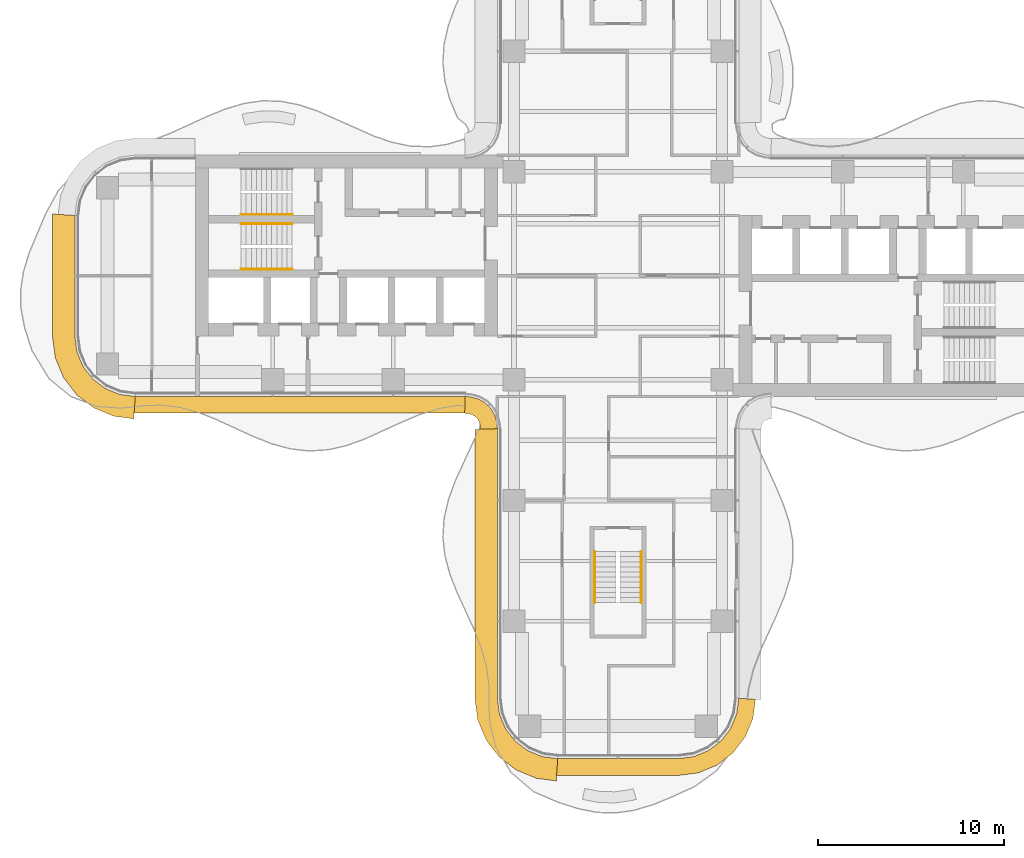
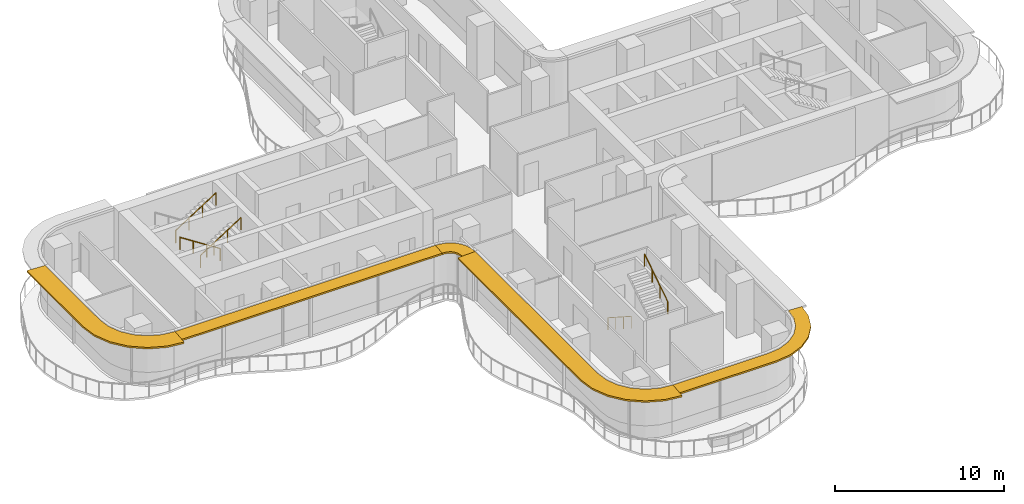
# One storey, part 17 of 18: 5 railings, 5 shading devices.
"""IFC4 building model written with IfcOpenShell, lengths in metres."""

from ifc_helpers import new_model, si_unit, direction, frame, origin, origin_2d, place, context, subcontext, project, spatial, polyline, circle, outline, extrude, source, transform, mapped, material, layer, layer_set, type_object, element, save


model = new_model("IFC4")

# Units and contexts
model_context = context("Model", 3, precision=1e-05, world=origin(), true_north=direction((0.0, 1.0)))
body_context = subcontext(model_context, "Body", "Model", "MODEL_VIEW")
ifc_project = project(units=[si_unit("LENGTHUNIT", "METRE"), si_unit("AREAUNIT", "SQUARE_METRE"), si_unit("VOLUMEUNIT", "CUBIC_METRE"), si_unit("PLANEANGLEUNIT", "RADIAN"), si_unit("MASSUNIT", "GRAM", prefix="KILO")], contexts=[model_context])

# Site, building, storey
site_placement = place(None, origin())
site = spatial("IfcSite", under=ifc_project, at=site_placement, CompositionType="ELEMENT")
building_placement = place(site_placement, origin())
building = spatial("IfcBuilding", under=site, at=building_placement, Name="Trellis Farm Tower", CompositionType="ELEMENT")
storey_placement = place(building_placement, frame((0.0, 0.0, 189.300048828125)))
storey = spatial("IfcBuildingStorey", under=building, at=storey_placement, Name="L41", CompositionType="ELEMENT", Elevation=189.300048828125)

# Railings
ifc_material_1 = material(Name="Stainless steel", Category="steel")
railing_type = type_object("IfcRailingType", Name="STAIR HANDRAIL 900", PredefinedType="HANDRAIL", material=ifc_material_1)
shared_shape_1 = source(origin(), body_context, "Body", "SweptSolid", [
    extrude(circle(Radius=0.02392578125, at=origin_2d()), frame((0.0, 0.0, 0.8759765625), z_axis=(0.0, 0.840503830235, 0.541805602924), x_axis=(-1.0, 0.0, 0.0)), (0.0, 0.0, 1.0), 3.271728515625),
    extrude(circle(Radius=0.02099609375, at=origin_2d()), origin(), (0.0, 0.0, 1.0), 0.851806640625),
    extrude(circle(Radius=0.02099609375, at=origin_2d()), frame((0.0, 0.916748046875, 0.5908203125)), (0.0, 0.0, 1.0), 0.851806640625),
    extrude(circle(Radius=0.02099609375, at=origin_2d()), frame((0.0, 1.833251953125, 1.181884765625)), (0.0, 0.0, 1.0), 0.851806640625),
    extrude(circle(Radius=0.02099609375, at=origin_2d()), frame((0.0, 2.75, 1.772705078125)), (0.0, 0.0, 1.0), 0.851806640625),
])
railing_1_placement = place(storey_placement, frame((1.25, -17.60009765625, 2.127197265625)))
element("IfcRailing", 1, at=railing_1_placement, inside=storey, type_object=railing_type, Name="Stair handrail", PredefinedType="HANDRAIL", context=body_context, shape_type="MappedRepresentation", body=[
    mapped(shared_shape_1, transform((0.0, 0.0, 0.0))),
])
shared_shape_2 = source(origin(), body_context, "Body", "SweptSolid", [
    extrude(circle(Radius=0.02392578125, at=origin_2d()), frame((0.0, 0.0, 0.8759765625), z_axis=(0.0, -0.840503830235, 0.541805602924), x_axis=(1.0, 0.0, 0.0)), (0.0, 0.0, 1.0), 3.271728515625),
    extrude(circle(Radius=0.02099609375, at=origin_2d()), origin(), (0.0, 0.0, 1.0), 0.851806640625),
    extrude(circle(Radius=0.02099609375, at=origin_2d()), frame((0.0, -0.916748046875, 0.5908203125)), (0.0, 0.0, 1.0), 0.851806640625),
    extrude(circle(Radius=0.02099609375, at=origin_2d()), frame((0.0, -1.833251953125, 1.181884765625)), (0.0, 0.0, 1.0), 0.851806640625),
    extrude(circle(Radius=0.02099609375, at=origin_2d()), frame((0.0, -2.75, 1.772705078125)), (0.0, 0.0, 1.0), 0.851806640625),
])
railing_2_placement = place(storey_placement, frame((-1.25, -14.85009765625, 0.17724609375)))
element("IfcRailing", 2, at=railing_2_placement, inside=storey, type_object=railing_type, Name="Stair handrail", PredefinedType="HANDRAIL", context=body_context, shape_type="MappedRepresentation", body=[
    mapped(shared_shape_2, transform((0.0, 0.0, 0.0))),
])
shared_shape_3 = source(origin(), body_context, "Body", "SweptSolid", [
    extrude(circle(Radius=0.02392578125, at=origin_2d()), frame((0.0, 0.0, 0.8759765625), z_axis=(0.840503830235, 0.0, 0.541805602924), x_axis=(0.0, 1.0, 0.0)), (0.0, 0.0, 1.0), 3.271728515625),
    extrude(circle(Radius=0.02099609375, at=origin_2d()), origin(), (0.0, 0.0, 1.0), 0.851806640625),
    extrude(circle(Radius=0.02099609375, at=origin_2d()), frame((0.916748046875, 0.0, 0.5908203125)), (0.0, 0.0, 1.0), 0.851806640625),
    extrude(circle(Radius=0.02099609375, at=origin_2d()), frame((1.833251953125, 0.0, 1.181884765625)), (0.0, 0.0, 1.0), 0.851806640625),
    extrude(circle(Radius=0.02099609375, at=origin_2d()), frame((2.75, 0.0, 1.772705078125)), (0.0, 0.0, 1.0), 0.851806640625),
])
for number, where, name in (
    (3, (-20.300048828125, 3.300048828125, 2.127197265625), "Stair handrail"),
    (4, (-20.300048828125, 0.35009765625, 2.127197265625), "Stair handrail"),
):
    element("IfcRailing", number, at=place(storey_placement, frame(where)), inside=storey, type_object=railing_type, Name=name, PredefinedType="HANDRAIL", context=body_context, shape_type="MappedRepresentation", body=[
        mapped(shared_shape_3, transform((0.0, 0.0, 0.0))),
    ])
shared_shape_4 = source(origin(), body_context, "Body", "SweptSolid", [
    extrude(circle(Radius=0.02392578125, at=origin_2d()), frame((0.0, 0.0, 0.8759765625), z_axis=(-0.840503830235, 0.0, 0.541805602924), x_axis=(0.0, -1.0, 0.0)), (0.0, 0.0, 1.0), 3.271728515625),
    extrude(circle(Radius=0.02099609375, at=origin_2d()), origin(), (0.0, 0.0, 1.0), 0.851806640625),
    extrude(circle(Radius=0.02099609375, at=origin_2d()), frame((-0.916748046875, 0.0, 0.5908203125)), (0.0, 0.0, 1.0), 0.851806640625),
    extrude(circle(Radius=0.02099609375, at=origin_2d()), frame((-1.833251953125, 0.0, 1.181884765625)), (0.0, 0.0, 1.0), 0.851806640625),
    extrude(circle(Radius=0.02099609375, at=origin_2d()), frame((-2.75, 0.0, 1.772705078125)), (0.0, 0.0, 1.0), 0.851806640625),
])
railing_3_placement = place(storey_placement, frame((-17.550048828125, 2.800048828125, 0.17724609375)))
element("IfcRailing", 5, at=railing_3_placement, inside=storey, type_object=railing_type, Name="Stair handrail", PredefinedType="HANDRAIL", context=body_context, shape_type="MappedRepresentation", body=[
    mapped(shared_shape_4, transform((0.0, 0.0, 0.0))),
])

# Shading devices
ifc_material_2 = material(Name="Aluminium extrusion 6063-T6", Category="aluminium")
ifc_layer_1 = layer(ifc_material_2, 0.1201171875)
ifc_layer_set_1 = layer_set([ifc_layer_1], Name="SUNSHADE BLADE 900")
shading_device_type_1 = type_object("IfcShadingDeviceType", Name="SUNSHADE BLADE 900", PredefinedType="USERDEFINED", material=ifc_layer_set_1)
shared_shape_5 = source(origin(), body_context, "Body", "SweptSolid", [
    extrude(outline(polyline([(-8.2607421875, -7.39990234375), (-8.107666015625, -7.409912109375), (-8.091552734375, -7.412109375), (-7.85595703125, -7.475341796875), (-7.697021484375, -7.567138671875), (-7.567138671875, -7.697021484375), (-7.475341796875, -7.85595703125), (-7.412109375, -8.091552734375), (-7.409912109375, -8.107666015625), (-7.39990234375, -8.2607421875), (-6.5, -8.2314453125), (-6.513916015625, -8.01953125), (-6.527587890625, -7.91552734375), (-6.63671875, -7.508544921875), (-6.846923828125, -7.144287109375), (-7.144287109375, -6.846923828125), (-7.508544921875, -6.63671875), (-7.91552734375, -6.527587890625), (-8.01953125, -6.513916015625), (-8.2314453125, -6.5), (-8.2607421875, -7.39990234375)])), origin(), (0.0, 0.0, 1.0), 0.119873046875),
])
placement = place(storey_placement, frame((0.0, 0.0, 3.5400390625)))
element("IfcShadingDevice", 6, at=placement, inside=storey, type_object=shading_device_type_1, Name="SD1 002", ObjectType="SUNSHADE", PredefinedType="USERDEFINED", context=body_context, shape_type="MappedRepresentation", body=[
    mapped(shared_shape_5, transform((0.0, 0.0, 0.0))),
])
ifc_layer_2 = layer(ifc_material_2, 0.1201171875)
ifc_layer_set_2 = layer_set([ifc_layer_2], Name="SUNSHADE BLADE 1200")
shading_device_type_2 = type_object("IfcShadingDeviceType", Name="SUNSHADE BLADE 1200", PredefinedType="USERDEFINED", material=ifc_layer_set_2)
shared_shape_6 = source(origin(), body_context, "Body", "SweptSolid", [
    extrude(outline(polyline([(-7.699951171875, -8.270751953125), (-7.699951171875, -22.82861328125), (-7.558349609375, -23.904541015625), (-7.11279296875, -24.980224609375), (-6.404052734375, -25.904052734375), (-5.480224609375, -26.61279296875), (-4.404541015625, -27.058349609375), (-3.32861328125, -27.199951171875), (-3.25, -26.0), (-4.091064453125, -25.88916015625), (-4.875, -25.564697265625), (-5.548095703125, -25.048095703125), (-6.064697265625, -24.375), (-6.38916015625, -23.591064453125), (-6.5, -22.75), (-6.5, -8.2314453125), (-7.699951171875, -8.270751953125)])), origin(), (0.0, 0.0, 1.0), 0.119873046875),
])
element("IfcShadingDevice", 7, at=placement, inside=storey, type_object=shading_device_type_2, Name="SD2 003", ObjectType="SUNSHADE", PredefinedType="USERDEFINED", context=body_context, shape_type="MappedRepresentation", body=[
    mapped(shared_shape_6, transform((0.0, 0.0, 0.0))),
])
shared_shape_7 = source(origin(), body_context, "Body", "SweptSolid", [
    extrude(outline(polyline([(-3.30908203125, -26.89990234375), (3.30908203125, -26.89990234375), (4.326171875, -26.76611328125), (5.328857421875, -26.350830078125), (6.18994140625, -25.68994140625), (6.850830078125, -24.828857421875), (7.26611328125, -23.826171875), (7.39990234375, -22.80908203125), (6.5, -22.75), (6.38916015625, -23.591064453125), (6.064697265625, -24.375), (5.548095703125, -25.048095703125), (4.875, -25.564697265625), (4.091064453125, -25.88916015625), (3.25, -26.0), (-3.25, -26.0), (-3.30908203125, -26.89990234375)])), origin(), (0.0, 0.0, 1.0), 0.119873046875),
])
element("IfcShadingDevice", 8, at=placement, inside=storey, type_object=shading_device_type_1, Name="SD1 004", ObjectType="SUNSHADE", PredefinedType="USERDEFINED", context=body_context, shape_type="MappedRepresentation", body=[
    mapped(shared_shape_7, transform((0.0, 0.0, 0.0))),
])
shared_shape_8 = source(origin(), body_context, "Body", "SweptSolid", [
    extrude(outline(polyline([(-26.05908203125, -7.39990234375), (-8.2607421875, -7.39990234375), (-8.2314453125, -6.5), (-26.0, -6.5), (-26.05908203125, -7.39990234375)])), origin(), (0.0, 0.0, 1.0), 0.119873046875),
])
element("IfcShadingDevice", 9, at=placement, inside=storey, type_object=shading_device_type_1, Name="SD1 001", ObjectType="SUNSHADE", PredefinedType="USERDEFINED", context=body_context, shape_type="MappedRepresentation", body=[
    mapped(shared_shape_8, transform((0.0, 0.0, 0.0))),
])
shared_shape_9 = source(origin(), body_context, "Body", "SweptSolid", [
    extrude(outline(polyline([(-30.449951171875, 3.32861328125), (-30.449951171875, -3.32861328125), (-30.308349609375, -4.404541015625), (-29.86279296875, -5.480224609375), (-29.154052734375, -6.404052734375), (-28.230224609375, -7.11279296875), (-27.154541015625, -7.558349609375), (-26.07861328125, -7.699951171875), (-26.0, -6.5), (-26.841064453125, -6.38916015625), (-27.625, -6.064697265625), (-28.298095703125, -5.548095703125), (-28.814697265625, -4.875), (-29.13916015625, -4.091064453125), (-29.25, -3.25), (-29.25, 3.25), (-30.449951171875, 3.32861328125)])), origin(), (0.0, 0.0, 1.0), 0.119873046875),
])
element("IfcShadingDevice", 10, at=placement, inside=storey, type_object=shading_device_type_2, Name="SD2 016", ObjectType="SUNSHADE", PredefinedType="USERDEFINED", context=body_context, shape_type="MappedRepresentation", body=[
    mapped(shared_shape_9, transform((0.0, 0.0, 0.0))),
])

save(model, "model.ifc")
